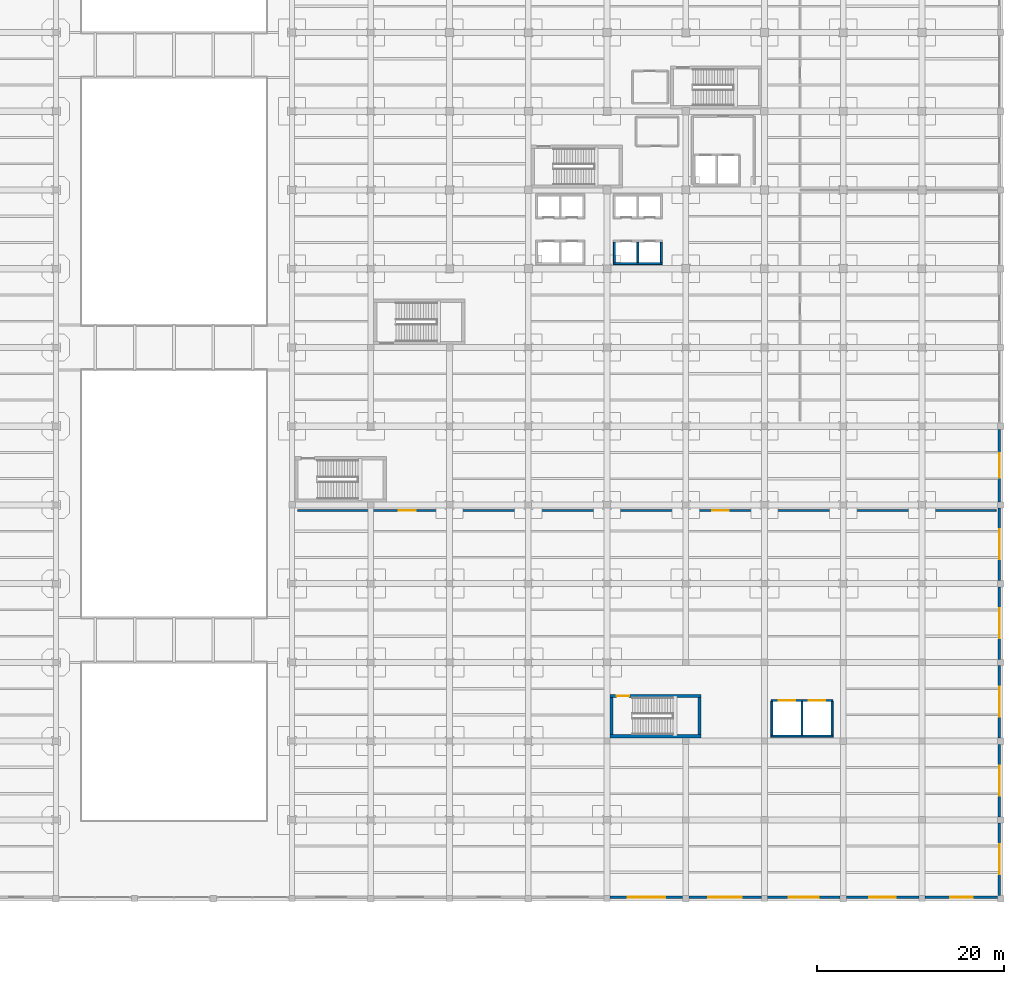
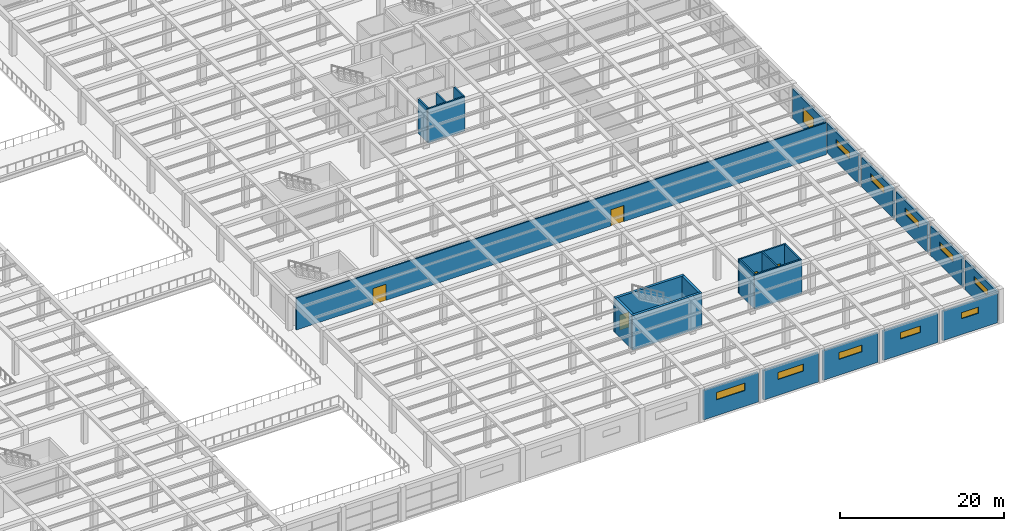
# One storey, part 81 of 95: 25 walls, 11 windows, 5 doors, 16 openings.
"""IFC4 building model written with IfcOpenShell, lengths in metres."""

from ifc_helpers import new_model, si_unit, direction, frame, frame_2d, origin, place, context, subcontext, project, spatial, rectangle, extrude, material, layer, layer_set, type_object, element, fill, save


model = new_model("IFC4")

# Units and contexts
model_context = context("Model", 3, precision=1e-05, world=origin(), true_north=direction((0.0, 1.0)))
body_context = subcontext(model_context, "Body", "Model", "MODEL_VIEW")
ifc_project = project(units=[si_unit("LENGTHUNIT", "METRE"), si_unit("AREAUNIT", "SQUARE_METRE"), si_unit("VOLUMEUNIT", "CUBIC_METRE"), si_unit("PLANEANGLEUNIT", "RADIAN"), si_unit("MASSUNIT", "GRAM", prefix="KILO")], contexts=[model_context])

# Site, building, storey
site_placement = place(None, origin())
site = spatial("IfcSite", under=ifc_project, at=site_placement, CompositionType="ELEMENT")
building_placement = place(site_placement, origin())
building = spatial("IfcBuilding", under=site, at=building_placement, Name="Almacenes y Pasaje Nevantli", CompositionType="ELEMENT")
storey_placement = place(building_placement, frame((0.0, 0.0, 11.39990234375)))
storey = spatial("IfcBuildingStorey", under=building, at=storey_placement, Name="L03", CompositionType="ELEMENT", Elevation=11.39990234375)

# Wall, openings, doors
ifc_material_1 = material(Name="Insulated Double-Gypsum Fire Partition", Category="gypsum")
ifc_layer_1 = layer(ifc_material_1, 0.179931640625)
ifc_layer_set_1 = layer_set([ifc_layer_1], Name="Insulated Double-Gypsum Fire Partition")
wall_type_1 = type_object("IfcWallType", Name="WL-COMP-180", PredefinedType="PARTITIONING", material=ifc_layer_set_1)
wall_1_placement = place(storey_placement, frame((93.0, 41.39990234375, 0.0), z_axis=(0.0, 0.0, 1.0), x_axis=(1.0, 0.0, 0.0)))
wall_1 = element("IfcWall", 1, at=wall_1_placement, inside=storey, type_object=wall_type_1, Name="L03 Interior Partition Wall IW-180 #79", PredefinedType="PARTITIONING", context=body_context, shape_type="SweptSolid", body=[
    extrude(rectangle(XDim=74.5, YDim=0.179931640625, at=frame_2d((37.25, 0.0))), origin(), (0.0, 0.0, 1.0), 4.72021484375),
])
opening_1_placement = place(wall_1_placement, frame((10.800048828125, 0.0, 0.0)))
opening_1 = element("IfcOpeningElement", 2, at=opening_1_placement, cuts=wall_1, Name="Opening ID-L03-037", PredefinedType="OPENING", context=body_context, shape_type="SweptSolid", body=[
    extrude(rectangle(XDim=1.800048828125, YDim=2.39990234375, at=frame_2d((0.89990234375, 1.199951171875))), frame((0.0, 0.099853515625, 0.0), z_axis=(0.0, -1.0, 0.0), x_axis=(1.0, 0.0, 0.0)), (0.0, 0.0, 1.0), 0.199951171875),
])
opening_2_placement = place(wall_1_placement, frame((44.199951171875, 0.0, 0.0)))
opening_2 = element("IfcOpeningElement", 3, at=opening_2_placement, cuts=wall_1, Name="Opening ID-L03-038", PredefinedType="OPENING", context=body_context, shape_type="SweptSolid", body=[
    extrude(rectangle(XDim=1.800048828125, YDim=2.39990234375, at=frame_2d((0.89990234375, 1.199951171875))), frame((0.0, 0.099853515625, 0.0), z_axis=(0.0, -1.0, 0.0), x_axis=(1.0, 0.0, 0.0)), (0.0, 0.0, 1.0), 0.199951171875),
])
ifc_material_2 = material(Name="Galvanized Fire-Rated Steel", Category="steel")
door_type_1 = type_object("IfcDoorType", Name="DR-FD60-1800", OperationType="DOUBLE_DOOR_SINGLE_SWING", PredefinedType="DOOR", material=ifc_material_2)
door_1_placement = place(opening_1_placement, origin())
door_1 = element("IfcDoor", 4, at=door_1_placement, inside=storey, type_object=door_type_1, Name="L03 L03 Stockroom Double Door 1", OperationType="DOUBLE_DOOR_SINGLE_SWING", OverallHeight=2.39990234375, OverallWidth=1.800048828125, PredefinedType="DOOR", context=body_context, shape_type="SweptSolid", body=[
    extrude(rectangle(XDim=1.800048828125, YDim=2.39990234375, at=frame_2d((0.89990234375, 1.199951171875))), frame((0.0, 0.02490234375, 0.0), z_axis=(0.0, -1.0, 0.0), x_axis=(1.0, 0.0, 0.0)), (0.0, 0.0, 1.0), 0.050048828125),
])
fill(opening_1, door_1)
door_2_placement = place(opening_2_placement, origin())
door_2 = element("IfcDoor", 5, at=door_2_placement, inside=storey, type_object=door_type_1, Name="L03 L03 Stockroom Double Door 2", OperationType="DOUBLE_DOOR_SINGLE_SWING", OverallHeight=2.39990234375, OverallWidth=1.800048828125, PredefinedType="DOOR", context=body_context, shape_type="SweptSolid", body=[
    extrude(rectangle(XDim=1.800048828125, YDim=2.39990234375, at=frame_2d((0.89990234375, 1.199951171875))), frame((0.0, 0.02490234375, 0.0), z_axis=(0.0, -1.0, 0.0), x_axis=(1.0, 0.0, 0.0)), (0.0, 0.0, 1.0), 0.050048828125),
])
fill(opening_2, door_2)

# Wall
ifc_material_3 = material(Name="Concrete C45/55", Category="concrete")
ifc_layer_2 = layer(ifc_material_3, 0.35009765625)
ifc_layer_set_2 = layer_set([ifc_layer_2], Name="Concrete C45/55")
wall_type_2 = type_object("IfcWallType", Name="WL-CORE-350", PredefinedType="SHEAR", material=ifc_layer_set_2)
wall_2_placement = place(storey_placement, frame((126.300048828125, 17.324951171875, 0.0), z_axis=(0.0, 0.0, 1.0), x_axis=(1.0, 0.0, 0.0)))
element("IfcWall", 6, at=wall_2_placement, inside=storey, type_object=wall_type_2, Name="L03 Exit Stair ST-06 South Core Shear Wall", PredefinedType="SHEAR", context=body_context, shape_type="SweptSolid", body=[
    extrude(rectangle(XDim=9.75, YDim=0.35009765625, at=frame_2d((4.875, 0.0))), origin(), (0.0, 0.0, 1.0), 5.10009765625),
])

# Wall, opening, door
wall_3_placement = place(storey_placement, frame((126.300048828125, 21.625, 0.0), z_axis=(0.0, 0.0, 1.0), x_axis=(1.0, 0.0, 0.0)))
wall_3 = element("IfcWall", 7, at=wall_3_placement, inside=storey, type_object=wall_type_2, Name="L03 Exit Stair ST-06 North Core Shear Wall", PredefinedType="SHEAR", context=body_context, shape_type="SweptSolid", body=[
    extrude(rectangle(XDim=9.75, YDim=0.35009765625, at=frame_2d((4.875, 0.0))), origin(), (0.0, 0.0, 1.0), 5.10009765625),
])
opening_3_placement = place(wall_3_placement, frame((0.719970703125, 0.0, 0.0)))
opening_3 = element("IfcOpeningElement", 8, at=opening_3_placement, cuts=wall_3, Name="Opening SD-06-L03", PredefinedType="OPENING", context=body_context, shape_type="SweptSolid", body=[
    extrude(rectangle(XDim=1.35009765625, YDim=2.25, at=frame_2d((0.675048828125, 1.125))), frame((0.0, 0.18505859375, 0.0), z_axis=(0.0, -1.0, 0.0), x_axis=(1.0, 0.0, 0.0)), (0.0, 0.0, 1.0), 0.3701171875),
])
ifc_material_4 = material(Name="Galvanized Fire-Rated Steel", Category="steel")
door_type_2 = type_object("IfcDoorType", Name="DR-STAIR-1350R", OperationType="SINGLE_SWING_RIGHT", PredefinedType="DOOR", material=ifc_material_4)
door_3_placement = place(opening_3_placement, origin())
door_3 = element("IfcDoor", 9, at=door_3_placement, inside=storey, type_object=door_type_2, Name="L03 Smokeproof Exit Stair ST-06 Fire Door", OperationType="SINGLE_SWING_RIGHT", OverallHeight=2.25, OverallWidth=1.35009765625, PredefinedType="DOOR", context=body_context, shape_type="SweptSolid", body=[
    extrude(rectangle(XDim=1.35009765625, YDim=2.25, at=frame_2d((0.675048828125, 1.125))), frame((0.0, 0.02490234375, 0.0), z_axis=(0.0, -1.0, 0.0), x_axis=(1.0, 0.0, 0.0)), (0.0, 0.0, 1.0), 0.050048828125),
])
fill(opening_3, door_3)

# Walls
for number, where, z_axis, x_axis, name in (
    (10, (126.47509765625, 17.5, 0.0), (0.0, 0.0, 1.0), (0.0, 1.0, 0.0), "L03 Exit Stair ST-06 West Core Shear Wall"),
    (11, (135.875, 17.5, 0.0), (0.0, 0.0, 1.0), (0.0, 1.0, 0.0), "L03 Exit Stair ST-06 East Core Shear Wall"),
):
    element("IfcWall", number, at=place(storey_placement, frame(where, z_axis=z_axis, x_axis=x_axis)), inside=storey, type_object=wall_type_2, Name=name, PredefinedType="SHEAR", context=body_context, shape_type="SweptSolid", body=[
        extrude(rectangle(XDim=3.949951171875, YDim=0.35009765625, at=frame_2d((1.97509765625, 0.0))), origin(), (0.0, 0.0, 1.0), 5.10009765625),
    ])

# Wall, opening, window
ifc_material_5 = material(Name="Cream Architectural Precast Concrete C35/45 Wall", Category="concrete")
ifc_layer_3 = layer(ifc_material_5, 0.260009765625)
ifc_layer_set_3 = layer_set([ifc_layer_3], Name="Cream Architectural Precast Concrete C35/45 Wall")
wall_type_3 = type_object("IfcWallType", Name="WL-EXT-PRECAST-260", PredefinedType="SOLIDWALL", material=ifc_layer_set_3)
wall_4_placement = place(storey_placement, frame((126.327880859375, 0.14990234375, 0.0), z_axis=(0.0, 0.0, 1.0), x_axis=(1.0, 0.0, 0.0)))
wall_4 = element("IfcWall", 12, at=wall_4_placement, inside=storey, type_object=wall_type_3, Name="L03 South Stockroom Clerestory Wall Bay 16", PredefinedType="SOLIDWALL", context=body_context, shape_type="SweptSolid", body=[
    extrude(rectangle(XDim=7.72021484375, YDim=0.260009765625, at=frame_2d((3.860107421875, 0.0))), origin(), (0.0, 0.0, 1.0), 4.380126953125),
])
opening_4_placement = place(wall_4_placement, frame((1.8720703125, 0.0, 2.35009765625)))
opening_4 = element("IfcOpeningElement", 13, at=opening_4_placement, cuts=wall_4, Name="Opening WT-21-108", PredefinedType="OPENING", context=body_context, shape_type="SweptSolid", body=[
    extrude(rectangle(XDim=4.0, YDim=1.10009765625, at=frame_2d((2.0, 0.550048828125))), frame((0.0, 0.139892578125, 0.0), z_axis=(0.0, -1.0, 0.0), x_axis=(1.0, 0.0, 0.0)), (0.0, 0.0, 1.0), 0.280029296875),
])
ifc_material_6 = material(Name="Thermally Broken Aluminium and Low-E Double Glazing", Category="aluminium")
window_type_1 = type_object("IfcWindowType", Name="WN-CLR-4000x1100", PartitioningType="SINGLE_PANEL", PredefinedType="WINDOW", material=ifc_material_6)
window_1_placement = place(opening_4_placement, origin())
window_1 = element("IfcWindow", 14, at=window_1_placement, inside=storey, type_object=window_type_1, Name="L03 Exterior Window WT-21 #108", OverallHeight=1.10009765625, OverallWidth=4.0, PartitioningType="SINGLE_PANEL", PredefinedType="WINDOW", context=body_context, shape_type="SweptSolid", body=[
    extrude(rectangle(XDim=4.0, YDim=1.10009765625, at=frame_2d((2.0, 0.550048828125))), frame((0.0, 0.030029296875, 0.0), z_axis=(0.0, -1.0, 0.0), x_axis=(1.0, 0.0, 0.0)), (0.0, 0.0, 1.0), 0.06005859375),
])
fill(opening_4, window_1)

wall_5_placement = place(storey_placement, frame((134.75390625, 0.14990234375, 0.0), z_axis=(0.0, 0.0, 1.0), x_axis=(1.0, 0.0, 0.0)))
wall_5 = element("IfcWall", 15, at=wall_5_placement, inside=storey, type_object=wall_type_3, Name="L03 South Stockroom Clerestory Wall Bay 17", PredefinedType="SOLIDWALL", context=body_context, shape_type="SweptSolid", body=[
    extrude(rectangle(XDim=7.718017578125, YDim=0.260009765625, at=frame_2d((3.85888671875, 0.0))), origin(), (0.0, 0.0, 1.0), 4.380126953125),
])
opening_5_placement = place(wall_5_placement, frame((2.0458984375, 0.0, 2.35009765625)))
opening_5 = element("IfcOpeningElement", 16, at=opening_5_placement, cuts=wall_5, Name="Opening WT-22-109", PredefinedType="OPENING", context=body_context, shape_type="SweptSolid", body=[
    extrude(rectangle(XDim=3.60009765625, YDim=1.050048828125, at=frame_2d((1.800048828125, 0.52490234375))), frame((0.0, 0.139892578125, 0.0), z_axis=(0.0, -1.0, 0.0), x_axis=(1.0, 0.0, 0.0)), (0.0, 0.0, 1.0), 0.280029296875),
])
ifc_material_7 = material(Name="Thermally Broken Aluminium and Low-E Double Glazing", Category="aluminium")
window_type_2 = type_object("IfcWindowType", Name="WN-CLR-3600x1050", PartitioningType="SINGLE_PANEL", PredefinedType="WINDOW", material=ifc_material_7)
window_2_placement = place(opening_5_placement, origin())
window_2 = element("IfcWindow", 17, at=window_2_placement, inside=storey, type_object=window_type_2, Name="L03 Exterior Window WT-22 #109", OverallHeight=1.050048828125, OverallWidth=3.60009765625, PartitioningType="SINGLE_PANEL", PredefinedType="WINDOW", context=body_context, shape_type="SweptSolid", body=[
    extrude(rectangle(XDim=3.60009765625, YDim=1.050048828125, at=frame_2d((1.800048828125, 0.52490234375))), frame((0.0, 0.030029296875, 0.0), z_axis=(0.0, -1.0, 0.0), x_axis=(1.0, 0.0, 0.0)), (0.0, 0.0, 1.0), 0.06005859375),
])
fill(opening_5, window_2)

wall_6_placement = place(storey_placement, frame((143.1279296875, 0.14990234375, 0.0), z_axis=(0.0, 0.0, 1.0), x_axis=(1.0, 0.0, 0.0)))
wall_6 = element("IfcWall", 18, at=wall_6_placement, inside=storey, type_object=wall_type_3, Name="L03 South Stockroom Clerestory Wall Bay 18", PredefinedType="SOLIDWALL", context=body_context, shape_type="SweptSolid", body=[
    extrude(rectangle(XDim=7.718017578125, YDim=0.260009765625, at=frame_2d((3.85888671875, 0.0))), origin(), (0.0, 0.0, 1.0), 4.380126953125),
])
opening_6_placement = place(wall_6_placement, frame((2.27197265625, 0.0, 2.35009765625)))
opening_6 = element("IfcOpeningElement", 19, at=opening_6_placement, cuts=wall_6, Name="Opening WT-23-110", PredefinedType="OPENING", context=body_context, shape_type="SweptSolid", body=[
    extrude(rectangle(XDim=3.199951171875, YDim=1.0, at=frame_2d((1.60009765625, 0.5))), frame((0.0, 0.139892578125, 0.0), z_axis=(0.0, -1.0, 0.0), x_axis=(1.0, 0.0, 0.0)), (0.0, 0.0, 1.0), 0.280029296875),
])
ifc_material_8 = material(Name="Thermally Broken Aluminium and Low-E Double Glazing", Category="aluminium")
window_type_3 = type_object("IfcWindowType", Name="WN-CLR-3200x1000", PartitioningType="SINGLE_PANEL", PredefinedType="WINDOW", material=ifc_material_8)
window_3_placement = place(opening_6_placement, origin())
window_3 = element("IfcWindow", 20, at=window_3_placement, inside=storey, type_object=window_type_3, Name="L03 Exterior Window WT-23 #110", OverallHeight=1.0, OverallWidth=3.199951171875, PartitioningType="SINGLE_PANEL", PredefinedType="WINDOW", context=body_context, shape_type="SweptSolid", body=[
    extrude(rectangle(XDim=3.199951171875, YDim=1.0, at=frame_2d((1.60009765625, 0.5))), frame((0.0, 0.030029296875, 0.0), z_axis=(0.0, -1.0, 0.0), x_axis=(1.0, 0.0, 0.0)), (0.0, 0.0, 1.0), 0.06005859375),
])
fill(opening_6, window_3)

wall_7_placement = place(storey_placement, frame((151.552001953125, 0.14990234375, 0.0), z_axis=(0.0, 0.0, 1.0), x_axis=(1.0, 0.0, 0.0)))
wall_7 = element("IfcWall", 21, at=wall_7_placement, inside=storey, type_object=wall_type_3, Name="L03 South Stockroom Clerestory Wall Bay 19", PredefinedType="SOLIDWALL", context=body_context, shape_type="SweptSolid", body=[
    extrude(rectangle(XDim=7.719970703125, YDim=0.260009765625, at=frame_2d((3.85986328125, 0.0))), origin(), (0.0, 0.0, 1.0), 4.380126953125),
])
opening_7_placement = place(wall_7_placement, frame((2.447998046875, 0.0, 2.35009765625)))
opening_7 = element("IfcOpeningElement", 22, at=opening_7_placement, cuts=wall_7, Name="Opening WT-24-111", PredefinedType="OPENING", context=body_context, shape_type="SweptSolid", body=[
    extrude(rectangle(XDim=2.800048828125, YDim=0.949951171875, at=frame_2d((1.39990234375, 0.47509765625))), frame((0.0, 0.139892578125, 0.0), z_axis=(0.0, -1.0, 0.0), x_axis=(1.0, 0.0, 0.0)), (0.0, 0.0, 1.0), 0.280029296875),
])
ifc_material_9 = material(Name="Thermally Broken Aluminium and Low-E Double Glazing", Category="aluminium")
window_type_4 = type_object("IfcWindowType", Name="WN-CLR-2800x0950", PartitioningType="SINGLE_PANEL", PredefinedType="WINDOW", material=ifc_material_9)
window_4_placement = place(opening_7_placement, origin())
window_4 = element("IfcWindow", 23, at=window_4_placement, inside=storey, type_object=window_type_4, Name="L03 Exterior Window WT-24 #111", OverallHeight=0.949951171875, OverallWidth=2.800048828125, PartitioningType="SINGLE_PANEL", PredefinedType="WINDOW", context=body_context, shape_type="SweptSolid", body=[
    extrude(rectangle(XDim=2.800048828125, YDim=0.949951171875, at=frame_2d((1.39990234375, 0.47509765625))), frame((0.0, 0.030029296875, 0.0), z_axis=(0.0, -1.0, 0.0), x_axis=(1.0, 0.0, 0.0)), (0.0, 0.0, 1.0), 0.06005859375),
])
fill(opening_7, window_4)

wall_8_placement = place(storey_placement, frame((159.927978515625, 0.14990234375, 0.0), z_axis=(0.0, 0.0, 1.0), x_axis=(1.0, 0.0, 0.0)))
wall_8 = element("IfcWall", 24, at=wall_8_placement, inside=storey, type_object=wall_type_3, Name="L03 South Stockroom Clerestory Wall Bay 20", PredefinedType="SOLIDWALL", context=body_context, shape_type="SweptSolid", body=[
    extrude(rectangle(XDim=7.718017578125, YDim=0.260009765625, at=frame_2d((3.85888671875, 0.0))), origin(), (0.0, 0.0, 1.0), 4.380126953125),
])
opening_8_placement = place(wall_8_placement, frame((2.672119140625, 0.0, 2.35009765625)))
opening_8 = element("IfcOpeningElement", 25, at=opening_8_placement, cuts=wall_8, Name="Opening WT-25-112", PredefinedType="OPENING", context=body_context, shape_type="SweptSolid", body=[
    extrude(rectangle(XDim=2.39990234375, YDim=0.89990234375, at=frame_2d((1.199951171875, 0.449951171875))), frame((0.0, 0.139892578125, 0.0), z_axis=(0.0, -1.0, 0.0), x_axis=(1.0, 0.0, 0.0)), (0.0, 0.0, 1.0), 0.280029296875),
])
ifc_material_10 = material(Name="Thermally Broken Aluminium and Low-E Double Glazing", Category="aluminium")
window_type_5 = type_object("IfcWindowType", Name="WN-CLR-2400x0900", PartitioningType="SINGLE_PANEL", PredefinedType="WINDOW", material=ifc_material_10)
window_5_placement = place(opening_8_placement, origin())
window_5 = element("IfcWindow", 26, at=window_5_placement, inside=storey, type_object=window_type_5, Name="L03 Exterior Window WT-25 #112", OverallHeight=0.89990234375, OverallWidth=2.39990234375, PartitioningType="SINGLE_PANEL", PredefinedType="WINDOW", context=body_context, shape_type="SweptSolid", body=[
    extrude(rectangle(XDim=2.39990234375, YDim=0.89990234375, at=frame_2d((1.199951171875, 0.449951171875))), frame((0.0, 0.030029296875, 0.0), z_axis=(0.0, -1.0, 0.0), x_axis=(1.0, 0.0, 0.0)), (0.0, 0.0, 1.0), 0.06005859375),
])
fill(opening_8, window_5)

wall_9_placement = place(storey_placement, frame((167.85009765625, 0.35400390625, 0.0), z_axis=(0.0, 0.0, 1.0), x_axis=(0.0, 1.0, 0.0)))
wall_9 = element("IfcWall", 27, at=wall_9_placement, inside=storey, type_object=wall_type_3, Name="L03 East Facade Wall Bay 1", PredefinedType="SOLIDWALL", context=body_context, shape_type="SweptSolid", body=[
    extrude(rectangle(XDim=7.718017578125, YDim=0.260009765625, at=frame_2d((3.85888671875, 0.0))), origin(), (0.0, 0.0, 1.0), 4.380126953125),
])
opening_9_placement = place(wall_9_placement, frame((2.24609375, 0.0, 2.35009765625)))
opening_9 = element("IfcOpeningElement", 28, at=opening_9_placement, cuts=wall_9, Name="Opening WT-23-118", PredefinedType="OPENING", context=body_context, shape_type="SweptSolid", body=[
    extrude(rectangle(XDim=3.199951171875, YDim=1.0, at=frame_2d((1.60009765625, 0.5))), frame((0.0, 0.139892578125, 0.0), z_axis=(0.0, -1.0, 0.0), x_axis=(1.0, 0.0, 0.0)), (0.0, 0.0, 1.0), 0.280029296875),
])
window_6_placement = place(opening_9_placement, origin())
window_6 = element("IfcWindow", 29, at=window_6_placement, inside=storey, type_object=window_type_3, Name="L03 Exterior Window WT-23 #118", OverallHeight=1.0, OverallWidth=3.199951171875, PartitioningType="SINGLE_PANEL", PredefinedType="WINDOW", context=body_context, shape_type="SweptSolid", body=[
    extrude(rectangle(XDim=3.199951171875, YDim=1.0, at=frame_2d((1.60009765625, 0.5))), frame((0.0, 0.030029296875, 0.0), z_axis=(0.0, -1.0, 0.0), x_axis=(1.0, 0.0, 0.0)), (0.0, 0.0, 1.0), 0.06005859375),
])
fill(opening_9, window_6)

wall_10_placement = place(storey_placement, frame((167.85009765625, 8.72802734375, 0.0), z_axis=(0.0, 0.0, 1.0), x_axis=(0.0, 1.0, 0.0)))
wall_10 = element("IfcWall", 30, at=wall_10_placement, inside=storey, type_object=wall_type_3, Name="L03 East Facade Wall Bay 2", PredefinedType="SOLIDWALL", context=body_context, shape_type="SweptSolid", body=[
    extrude(rectangle(XDim=7.718017578125, YDim=0.260009765625, at=frame_2d((3.85888671875, 0.0))), origin(), (0.0, 0.0, 1.0), 4.380126953125),
])
opening_10_placement = place(wall_10_placement, frame((2.27197265625, 0.0, 2.35009765625)))
opening_10 = element("IfcOpeningElement", 31, at=opening_10_placement, cuts=wall_10, Name="Opening WT-23-119", PredefinedType="OPENING", context=body_context, shape_type="SweptSolid", body=[
    extrude(rectangle(XDim=3.199951171875, YDim=1.0, at=frame_2d((1.60009765625, 0.5))), frame((0.0, 0.139892578125, 0.0), z_axis=(0.0, -1.0, 0.0), x_axis=(1.0, 0.0, 0.0)), (0.0, 0.0, 1.0), 0.280029296875),
])
window_7_placement = place(opening_10_placement, origin())
window_7 = element("IfcWindow", 32, at=window_7_placement, inside=storey, type_object=window_type_3, Name="L03 Exterior Window WT-23 #119", OverallHeight=1.0, OverallWidth=3.199951171875, PartitioningType="SINGLE_PANEL", PredefinedType="WINDOW", context=body_context, shape_type="SweptSolid", body=[
    extrude(rectangle(XDim=3.199951171875, YDim=1.0, at=frame_2d((1.60009765625, 0.5))), frame((0.0, 0.030029296875, 0.0), z_axis=(0.0, -1.0, 0.0), x_axis=(1.0, 0.0, 0.0)), (0.0, 0.0, 1.0), 0.06005859375),
])
fill(opening_10, window_7)

wall_11_placement = place(storey_placement, frame((167.85009765625, 17.154052734375, 0.0), z_axis=(0.0, 0.0, 1.0), x_axis=(0.0, 1.0, 0.0)))
wall_11 = element("IfcWall", 33, at=wall_11_placement, inside=storey, type_object=wall_type_3, Name="L03 East Facade Wall Bay 3", PredefinedType="SOLIDWALL", context=body_context, shape_type="SweptSolid", body=[
    extrude(rectangle(XDim=7.718017578125, YDim=0.260009765625, at=frame_2d((3.85888671875, 0.0))), origin(), (0.0, 0.0, 1.0), 4.380126953125),
])
opening_11_placement = place(wall_11_placement, frame((2.24609375, 0.0, 2.35009765625)))
opening_11 = element("IfcOpeningElement", 34, at=opening_11_placement, cuts=wall_11, Name="Opening WT-23-120", PredefinedType="OPENING", context=body_context, shape_type="SweptSolid", body=[
    extrude(rectangle(XDim=3.199951171875, YDim=1.0, at=frame_2d((1.60009765625, 0.5))), frame((0.0, 0.139892578125, 0.0), z_axis=(0.0, -1.0, 0.0), x_axis=(1.0, 0.0, 0.0)), (0.0, 0.0, 1.0), 0.280029296875),
])
window_8_placement = place(opening_11_placement, origin())
window_8 = element("IfcWindow", 35, at=window_8_placement, inside=storey, type_object=window_type_3, Name="L03 Exterior Window WT-23 #120", OverallHeight=1.0, OverallWidth=3.199951171875, PartitioningType="SINGLE_PANEL", PredefinedType="WINDOW", context=body_context, shape_type="SweptSolid", body=[
    extrude(rectangle(XDim=3.199951171875, YDim=1.0, at=frame_2d((1.60009765625, 0.5))), frame((0.0, 0.030029296875, 0.0), z_axis=(0.0, -1.0, 0.0), x_axis=(1.0, 0.0, 0.0)), (0.0, 0.0, 1.0), 0.06005859375),
])
fill(opening_11, window_8)

wall_12_placement = place(storey_placement, frame((167.85009765625, 25.528076171875, 0.0), z_axis=(0.0, 0.0, 1.0), x_axis=(0.0, 1.0, 0.0)))
wall_12 = element("IfcWall", 36, at=wall_12_placement, inside=storey, type_object=wall_type_3, Name="L03 East Facade Wall Bay 4", PredefinedType="SOLIDWALL", context=body_context, shape_type="SweptSolid", body=[
    extrude(rectangle(XDim=7.719970703125, YDim=0.260009765625, at=frame_2d((3.85986328125, 0.0))), origin(), (0.0, 0.0, 1.0), 4.380126953125),
])
opening_12_placement = place(wall_12_placement, frame((2.27197265625, 0.0, 2.35009765625)))
opening_12 = element("IfcOpeningElement", 37, at=opening_12_placement, cuts=wall_12, Name="Opening WT-23-121", PredefinedType="OPENING", context=body_context, shape_type="SweptSolid", body=[
    extrude(rectangle(XDim=3.199951171875, YDim=1.0, at=frame_2d((1.60009765625, 0.5))), frame((0.0, 0.139892578125, 0.0), z_axis=(0.0, -1.0, 0.0), x_axis=(1.0, 0.0, 0.0)), (0.0, 0.0, 1.0), 0.280029296875),
])
window_9_placement = place(opening_12_placement, origin())
window_9 = element("IfcWindow", 38, at=window_9_placement, inside=storey, type_object=window_type_3, Name="L03 Exterior Window WT-23 #121", OverallHeight=1.0, OverallWidth=3.199951171875, PartitioningType="SINGLE_PANEL", PredefinedType="WINDOW", context=body_context, shape_type="SweptSolid", body=[
    extrude(rectangle(XDim=3.199951171875, YDim=1.0, at=frame_2d((1.60009765625, 0.5))), frame((0.0, 0.030029296875, 0.0), z_axis=(0.0, -1.0, 0.0), x_axis=(1.0, 0.0, 0.0)), (0.0, 0.0, 1.0), 0.06005859375),
])
fill(opening_12, window_9)

wall_13_placement = place(storey_placement, frame((167.85009765625, 33.9541015625, 0.0), z_axis=(0.0, 0.0, 1.0), x_axis=(0.0, 1.0, 0.0)))
wall_13 = element("IfcWall", 39, at=wall_13_placement, inside=storey, type_object=wall_type_3, Name="L03 East Facade Wall Bay 5", PredefinedType="SOLIDWALL", context=body_context, shape_type="SweptSolid", body=[
    extrude(rectangle(XDim=7.718017578125, YDim=0.260009765625, at=frame_2d((3.85888671875, 0.0))), origin(), (0.0, 0.0, 1.0), 4.380126953125),
])
opening_13_placement = place(wall_13_placement, frame((2.24609375, 0.0, 2.35009765625)))
opening_13 = element("IfcOpeningElement", 40, at=opening_13_placement, cuts=wall_13, Name="Opening WT-23-122", PredefinedType="OPENING", context=body_context, shape_type="SweptSolid", body=[
    extrude(rectangle(XDim=3.199951171875, YDim=1.0, at=frame_2d((1.60009765625, 0.5))), frame((0.0, 0.139892578125, 0.0), z_axis=(0.0, -1.0, 0.0), x_axis=(1.0, 0.0, 0.0)), (0.0, 0.0, 1.0), 0.280029296875),
])
window_10_placement = place(opening_13_placement, origin())
window_10 = element("IfcWindow", 41, at=window_10_placement, inside=storey, type_object=window_type_3, Name="L03 Exterior Window WT-23 #122", OverallHeight=1.0, OverallWidth=3.199951171875, PartitioningType="SINGLE_PANEL", PredefinedType="WINDOW", context=body_context, shape_type="SweptSolid", body=[
    extrude(rectangle(XDim=3.199951171875, YDim=1.0, at=frame_2d((1.60009765625, 0.5))), frame((0.0, 0.030029296875, 0.0), z_axis=(0.0, -1.0, 0.0), x_axis=(1.0, 0.0, 0.0)), (0.0, 0.0, 1.0), 0.06005859375),
])
fill(opening_13, window_10)

wall_14_placement = place(storey_placement, frame((167.85009765625, 42.327880859375, 0.0), z_axis=(0.0, 0.0, 1.0), x_axis=(0.0, 1.0, 0.0)))
wall_14 = element("IfcWall", 42, at=wall_14_placement, inside=storey, type_object=wall_type_3, Name="L03 East Facade Wall Bay 6", PredefinedType="SOLIDWALL", context=body_context, shape_type="SweptSolid", body=[
    extrude(rectangle(XDim=7.718017578125, YDim=0.260009765625, at=frame_2d((3.85888671875, 0.0))), origin(), (0.0, 0.0, 1.0), 4.380126953125),
])
opening_14_placement = place(wall_14_placement, frame((2.572021484375, 0.0, 1.0)))
opening_14 = element("IfcOpeningElement", 43, at=opening_14_placement, cuts=wall_14, Name="Opening WT-13-123", PredefinedType="OPENING", context=body_context, shape_type="SweptSolid", body=[
    extrude(rectangle(XDim=2.60009765625, YDim=2.10009765625, at=frame_2d((1.300048828125, 1.050048828125))), frame((0.0, 0.139892578125, 0.0), z_axis=(0.0, -1.0, 0.0), x_axis=(1.0, 0.0, 0.0)), (0.0, 0.0, 1.0), 0.280029296875),
])
ifc_material_11 = material(Name="Thermally Broken Aluminium and Low-E Double Glazing", Category="aluminium")
window_type_6 = type_object("IfcWindowType", Name="WN-POD-2600x2100", PartitioningType="SINGLE_PANEL", PredefinedType="WINDOW", material=ifc_material_11)
window_11_placement = place(opening_14_placement, origin())
window_11 = element("IfcWindow", 44, at=window_11_placement, inside=storey, type_object=window_type_6, Name="L03 Exterior Window WT-13 #123", OverallHeight=2.10009765625, OverallWidth=2.60009765625, PartitioningType="SINGLE_PANEL", PredefinedType="WINDOW", context=body_context, shape_type="SweptSolid", body=[
    extrude(rectangle(XDim=2.60009765625, YDim=2.10009765625, at=frame_2d((1.300048828125, 1.050048828125))), frame((0.0, 0.030029296875, 0.0), z_axis=(0.0, -1.0, 0.0), x_axis=(1.0, 0.0, 0.0)), (0.0, 0.0, 1.0), 0.06005859375),
])
fill(opening_14, window_11)

# Walls
ifc_material_12 = material(Name="Concrete C45/55", Category="concrete")
ifc_layer_4 = layer(ifc_material_12, 0.2099609375)
ifc_layer_set_4 = layer_set([ifc_layer_4], Name="Concrete C45/55")
wall_type_4 = type_object("IfcWallType", Name="WL-SHAFT-210", PredefinedType="SHEAR", material=ifc_layer_set_4)
wall_15_placement = place(storey_placement, frame((126.68994140625, 67.7451171875, 0.0), z_axis=(0.0, 0.0, 1.0), x_axis=(1.0, 0.0, 0.0)))
element("IfcWall", 45, at=wall_15_placement, inside=storey, type_object=wall_type_4, Name="L03 Lift Hoistway ELV-P01-ELV-P02 South Wall", PredefinedType="SHEAR", context=body_context, shape_type="SweptSolid", body=[
    extrude(rectangle(XDim=5.219970703125, YDim=0.2099609375, at=frame_2d((2.60986328125, 0.0))), origin(), (0.0, 0.0, 1.0), 5.10009765625),
])
for number, where, z_axis, x_axis, name in (
    (46, (126.794921875, 67.85009765625, 0.0), (0.0, 0.0, 1.0), (0.0, 1.0, 0.0), "L03 Lift Hoistway ELV-P01 West Wall"),
    (47, (131.804931640625, 67.85009765625, 0.0), (0.0, 0.0, 1.0), (0.0, 1.0, 0.0), "L03 Lift Hoistway ELV-P02 East Wall"),
    (48, (129.300048828125, 67.85009765625, 0.0), (0.0, 0.0, 1.0), (0.0, 1.0, 0.0), "L03 Lift Hoistway Divider Wall ELV-P01/ELV-P02"),
):
    element("IfcWall", number, at=place(storey_placement, frame(where, z_axis=z_axis, x_axis=x_axis)), inside=storey, type_object=wall_type_4, Name=name, PredefinedType="SHEAR", context=body_context, shape_type="SweptSolid", body=[
        extrude(rectangle(XDim=2.199951171875, YDim=0.2099609375, at=frame_2d((1.10009765625, 0.0))), origin(), (0.0, 0.0, 1.0), 5.10009765625),
    ])
wall_16_placement = place(storey_placement, frame((143.489990234375, 17.344970703125, 0.0), z_axis=(0.0, 0.0, 1.0), x_axis=(1.0, 0.0, 0.0)))
element("IfcWall", 49, at=wall_16_placement, inside=storey, type_object=wall_type_4, Name="L03 Lift Hoistway ELV-G01-ELV-G02 South Wall", PredefinedType="SHEAR", context=body_context, shape_type="SweptSolid", body=[
    extrude(rectangle(XDim=6.6201171875, YDim=0.2099609375, at=frame_2d((3.31005859375, 0.0))), origin(), (0.0, 0.0, 1.0), 5.10009765625),
])

# Wall, openings, doors
wall_17_placement = place(storey_placement, frame((143.489990234375, 21.155029296875, 0.0), z_axis=(0.0, 0.0, 1.0), x_axis=(1.0, 0.0, 0.0)))
wall_17 = element("IfcWall", 50, at=wall_17_placement, inside=storey, type_object=wall_type_4, Name="L03 Lift Hoistway ELV-G01-ELV-G02 North Wall", PredefinedType="SHEAR", context=body_context, shape_type="SweptSolid", body=[
    extrude(rectangle(XDim=6.6201171875, YDim=0.2099609375, at=frame_2d((3.31005859375, 0.0))), origin(), (0.0, 0.0, 1.0), 5.10009765625),
])
opening_15_placement = place(wall_17_placement, frame((0.81005859375, 0.0, 0.0)))
opening_15 = element("IfcOpeningElement", 51, at=opening_15_placement, cuts=wall_17, Name="Opening LD-G01-L03", PredefinedType="OPENING", context=body_context, shape_type="SweptSolid", body=[
    extrude(rectangle(XDim=1.800048828125, YDim=2.449951171875, at=frame_2d((0.89990234375, 1.22509765625))), frame((0.0, 0.114990234375, 0.0), z_axis=(0.0, -1.0, 0.0), x_axis=(1.0, 0.0, 0.0)), (0.0, 0.0, 1.0), 0.22998046875),
])
opening_16_placement = place(wall_17_placement, frame((4.010009765625, 0.0, 0.0)))
opening_16 = element("IfcOpeningElement", 52, at=opening_16_placement, cuts=wall_17, Name="Opening LD-G02-L03", PredefinedType="OPENING", context=body_context, shape_type="SweptSolid", body=[
    extrude(rectangle(XDim=1.800048828125, YDim=2.449951171875, at=frame_2d((0.89990234375, 1.22509765625))), frame((0.0, 0.114990234375, 0.0), z_axis=(0.0, -1.0, 0.0), x_axis=(1.0, 0.0, 0.0)), (0.0, 0.0, 1.0), 0.22998046875),
])
ifc_material_13 = material(Name="Heavy-Duty Stainless Steel", Category="steel")
door_type_3 = type_object("IfcDoorType", Name="DR-LD-GOODS-1800", OperationType="DOUBLE_DOOR_SLIDING", PredefinedType="DOOR", material=ifc_material_13)
door_4_placement = place(opening_15_placement, origin())
door_4 = element("IfcDoor", 53, at=door_4_placement, inside=storey, type_object=door_type_3, Name="Lift Landing Door ELV-G01 L03", OperationType="DOUBLE_DOOR_SLIDING", OverallHeight=2.449951171875, OverallWidth=1.800048828125, PredefinedType="DOOR", context=body_context, shape_type="SweptSolid", body=[
    extrude(rectangle(XDim=1.800048828125, YDim=2.449951171875, at=frame_2d((0.89990234375, 1.22509765625))), frame((0.0, 0.02490234375, 0.0), z_axis=(0.0, -1.0, 0.0), x_axis=(1.0, 0.0, 0.0)), (0.0, 0.0, 1.0), 0.050048828125),
])
fill(opening_15, door_4)
door_5_placement = place(opening_16_placement, origin())
door_5 = element("IfcDoor", 54, at=door_5_placement, inside=storey, type_object=door_type_3, Name="Lift Landing Door ELV-G02 L03", OperationType="DOUBLE_DOOR_SLIDING", OverallHeight=2.449951171875, OverallWidth=1.800048828125, PredefinedType="DOOR", context=body_context, shape_type="SweptSolid", body=[
    extrude(rectangle(XDim=1.800048828125, YDim=2.449951171875, at=frame_2d((0.89990234375, 1.22509765625))), frame((0.0, 0.02490234375, 0.0), z_axis=(0.0, -1.0, 0.0), x_axis=(1.0, 0.0, 0.0)), (0.0, 0.0, 1.0), 0.050048828125),
])
fill(opening_16, door_5)

# Walls
for number, where, z_axis, x_axis, name in (
    (55, (143.594970703125, 17.449951171875, 0.0), (0.0, 0.0, 1.0), (0.0, 1.0, 0.0), "L03 Lift Hoistway ELV-G01 West Wall"),
    (56, (150.0048828125, 17.449951171875, 0.0), (0.0, 0.0, 1.0), (0.0, 1.0, 0.0), "L03 Lift Hoistway ELV-G02 East Wall"),
    (57, (146.800048828125, 17.449951171875, 0.0), (0.0, 0.0, 1.0), (0.0, 1.0, 0.0), "L03 Lift Hoistway Divider Wall ELV-G01/ELV-G02"),
):
    element("IfcWall", number, at=place(storey_placement, frame(where, z_axis=z_axis, x_axis=x_axis)), inside=storey, type_object=wall_type_4, Name=name, PredefinedType="SHEAR", context=body_context, shape_type="SweptSolid", body=[
        extrude(rectangle(XDim=3.60009765625, YDim=0.2099609375, at=frame_2d((1.800048828125, 0.0))), origin(), (0.0, 0.0, 1.0), 5.10009765625),
    ])

save(model, "model.ifc")
